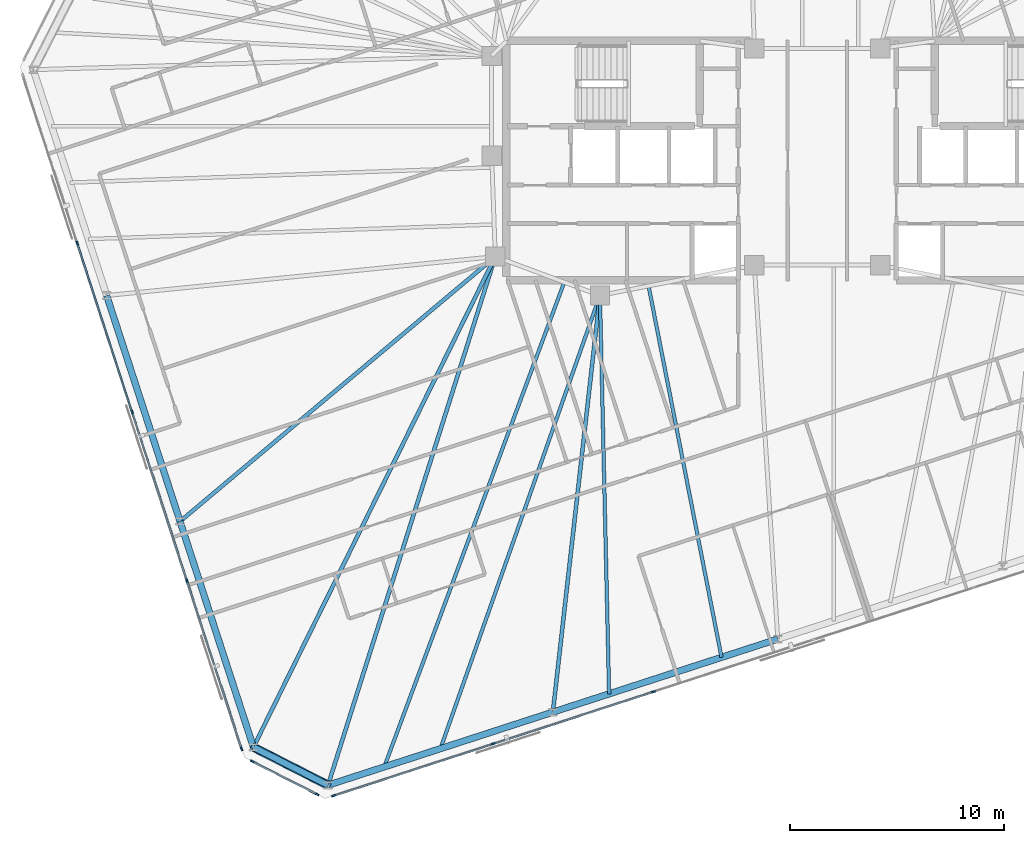
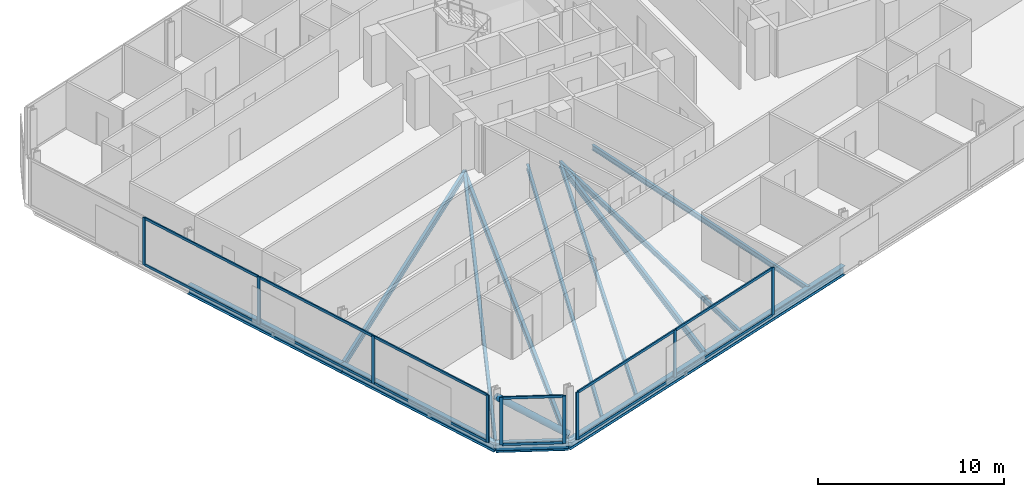
# One storey, part 5 of 20: 22 members, 13 beams, 3 elements without a shape of their own.
"""IFC4 building model written with IfcOpenShell, lengths in metres."""

from ifc_helpers import new_model, si_unit, direction, frame, origin, origin_2d, place, context, subcontext, project, spatial, rectangle, hollow_circle, i_section, extrude, material, material_profile, profile_set, type_object, element, aggregate, save


model = new_model("IFC4")

# Units and contexts
model_context = context("Model", 3, precision=1e-05, world=origin(), true_north=direction((0.0, 1.0)))
body_context = subcontext(model_context, "Body", "Model", "MODEL_VIEW")
ifc_project = project(units=[si_unit("LENGTHUNIT", "METRE"), si_unit("AREAUNIT", "SQUARE_METRE"), si_unit("VOLUMEUNIT", "CUBIC_METRE"), si_unit("PLANEANGLEUNIT", "RADIAN"), si_unit("MASSUNIT", "GRAM", prefix="KILO")], contexts=[model_context])

# Site, building, storey
site_placement = place(None, origin())
site = spatial("IfcSite", under=ifc_project, at=site_placement, CompositionType="ELEMENT")
building_placement = place(site_placement, origin())
building = spatial("IfcBuilding", under=site, at=building_placement, Name="Menara Jurai Vektor", CompositionType="ELEMENT")
storey_placement = place(building_placement, frame((0.0, 0.0, 244.39990234375)))
storey = spatial("IfcBuildingStorey", under=building, at=storey_placement, Name="L65", CompositionType="ELEMENT", Elevation=244.39990234375)

# Curtain wall, members
ifc_material_1 = material(Name="Anodised Pale Aluminium & Low-E Double Glazing", Category="aluminium")
curtain_wall_type = type_object("IfcCurtainWallType", Name="CW-BLK4", PredefinedType="NOTDEFINED", material=ifc_material_1)
curtain_wall_1_placement = place(storey_placement, origin())
curtain_wall_1 = element("IfcCurtainWall", 1, at=curtain_wall_1_placement, inside=storey, type_object=curtain_wall_type, Name="Unitised Curtain Wall L65 F01", PredefinedType="NOTDEFINED")
ifc_material_2 = material(Name="Anodised Pale Aluminium Mullion", Category="aluminium")
ifc_material_profile_1 = material_profile(ifc_material_2, rectangle(XDim=0.080078125, YDim=0.18994140625, at=origin_2d()), Name="ALU MUL 80x190")
ifc_profile_set_1 = profile_set([ifc_material_profile_1], Name="Anodised Pale Aluminium Mullion")
member_type_1 = type_object("IfcMemberType", Name="CW-BLK4-MUL", PredefinedType="MULLION", material=ifc_profile_set_1)
member_1_placement = place(storey_placement, frame((-22.649658203125, -29.743896484375, 0.0), z_axis=(0.0, 0.0, 1.0), x_axis=(-0.309017344167, 0.951056402641, 0.0)))
member_1 = element("IfcMember", 2, at=member_1_placement, type_object=member_type_1, Name="CW-04 mullion 1", PredefinedType="MULLION", context=body_context, shape_type="SweptSolid", body=[
    extrude(rectangle(XDim=0.080078125, YDim=0.18994140625, at=origin_2d()), origin(), (0.0, 0.0, 1.0), 3.125),
])
member_2_placement = place(storey_placement, frame((-15.1826171875, -27.317626953125, 0.0), z_axis=(0.0, 0.0, 1.0), x_axis=(-0.309017344167, 0.951056402641, 0.0)))
member_2 = element("IfcMember", 3, at=member_2_placement, type_object=member_type_1, Name="CW-04 mullion 2", PredefinedType="MULLION", context=body_context, shape_type="SweptSolid", body=[
    extrude(rectangle(XDim=0.080078125, YDim=0.18994140625, at=origin_2d()), origin(), (0.0, 0.0, 1.0), 3.125),
])
member_3_placement = place(storey_placement, frame((-7.677490234375, -24.879150390625, 0.0), z_axis=(0.0, 0.0, 1.0), x_axis=(-0.309017344167, 0.951056402641, 0.0)))
member_3 = element("IfcMember", 4, at=member_3_placement, type_object=member_type_1, Name="CW-04 mullion 3", PredefinedType="MULLION", context=body_context, shape_type="SweptSolid", body=[
    extrude(rectangle(XDim=0.080078125, YDim=0.18994140625, at=origin_2d()), origin(), (0.0, 0.0, 1.0), 3.125),
])

curtain_wall_2_placement = place(storey_placement, origin())
curtain_wall_2 = element("IfcCurtainWall", 5, at=curtain_wall_2_placement, inside=storey, type_object=curtain_wall_type, Name="Unitised Curtain Wall L65 F07", PredefinedType="NOTDEFINED")
member_4_placement = place(storey_placement, frame((-34.650634765625, -3.876220703125, 0.0), z_axis=(0.0, 0.0, 1.0), x_axis=(0.95105668295, 0.309016481464, 0.0)))
member_4 = element("IfcMember", 6, at=member_4_placement, type_object=member_type_1, Name="CW-04 mullion 2", PredefinedType="MULLION", context=body_context, shape_type="SweptSolid", body=[
    extrude(rectangle(XDim=0.080078125, YDim=0.18994140625, at=origin_2d()), origin(), (0.0, 0.0, 1.0), 3.125),
])
member_5_placement = place(storey_placement, frame((-32.082763671875, -11.779541015625, 0.0), z_axis=(0.0, 0.0, 1.0), x_axis=(0.95105668295, 0.309016481464, 0.0)))
member_5 = element("IfcMember", 7, at=member_5_placement, type_object=member_type_1, Name="CW-04 mullion 3", PredefinedType="MULLION", context=body_context, shape_type="SweptSolid", body=[
    extrude(rectangle(XDim=0.080078125, YDim=0.18994140625, at=origin_2d()), origin(), (0.0, 0.0, 1.0), 3.125),
])
member_6_placement = place(storey_placement, frame((-29.514892578125, -19.682861328125, 0.0), z_axis=(0.0, 0.0, 1.0), x_axis=(0.95105668295, 0.309016481464, 0.0)))
member_6 = element("IfcMember", 8, at=member_6_placement, type_object=member_type_1, Name="CW-04 mullion 4", PredefinedType="MULLION", context=body_context, shape_type="SweptSolid", body=[
    extrude(rectangle(XDim=0.080078125, YDim=0.18994140625, at=origin_2d()), origin(), (0.0, 0.0, 1.0), 3.125),
])
member_7_placement = place(storey_placement, frame((-26.959228515625, -27.548095703125, 0.0), z_axis=(0.0, 0.0, 1.0), x_axis=(0.95105668295, 0.309016481464, 0.0)))
member_7 = element("IfcMember", 9, at=member_7_placement, type_object=member_type_1, Name="CW-04 mullion 5", PredefinedType="MULLION", context=body_context, shape_type="SweptSolid", body=[
    extrude(rectangle(XDim=0.080078125, YDim=0.18994140625, at=origin_2d()), origin(), (0.0, 0.0, 1.0), 3.125),
])

curtain_wall_3_placement = place(storey_placement, origin())
curtain_wall_3 = element("IfcCurtainWall", 10, at=curtain_wall_3_placement, inside=storey, type_object=curtain_wall_type, Name="Unitised Curtain Wall L65 F08", PredefinedType="NOTDEFINED")
member_8_placement = place(storey_placement, frame((-26.455322265625, -28.13818359375, 0.0), z_axis=(0.0, 0.0, 1.0), x_axis=(0.453988579828, 0.89100750243, 0.0)))
member_8 = element("IfcMember", 11, at=member_8_placement, type_object=member_type_1, Name="CW-04 mullion 1", PredefinedType="MULLION", context=body_context, shape_type="SweptSolid", body=[
    extrude(rectangle(XDim=0.080078125, YDim=0.18994140625, at=origin_2d()), origin(), (0.0, 0.0, 1.0), 3.125),
])
member_9_placement = place(storey_placement, frame((-23.42333984375, -29.682861328125, 0.0), z_axis=(0.0, 0.0, 1.0), x_axis=(0.453988579828, 0.89100750243, 0.0)))
member_9 = element("IfcMember", 12, at=member_9_placement, type_object=member_type_1, Name="CW-04 mullion 2", PredefinedType="MULLION", context=body_context, shape_type="SweptSolid", body=[
    extrude(rectangle(XDim=0.080078125, YDim=0.18994140625, at=origin_2d()), origin(), (0.0, 0.0, 1.0), 3.125),
])

# Member
ifc_material_3 = material(Name="Anodised Pale Aluminium Transom", Category="aluminium")
ifc_material_profile_2 = material_profile(ifc_material_3, rectangle(XDim=0.080078125, YDim=0.1650390625, at=origin_2d()), Name="ALU TRN 80x165")
ifc_profile_set_2 = profile_set([ifc_material_profile_2], Name="Anodised Pale Aluminium Transom")
member_type_2 = type_object("IfcMemberType", Name="CW-BLK4-TRN", PredefinedType="USERDEFINED", material=ifc_profile_set_2)
member_10_placement = place(storey_placement, frame((-22.61181640625, -29.7314453125, 0.0400390625), z_axis=(0.951062230089, 0.308999408573, 0.0), x_axis=(-0.308999408573, 0.951062230089, 0.0)))
member_10 = element("IfcMember", 13, at=member_10_placement, type_object=member_type_2, Name="CW-04 transom 1.1", ObjectType="TRANSOM", PredefinedType="USERDEFINED", context=body_context, shape_type="SweptSolid", body=[
    extrude(rectangle(XDim=0.080078125, YDim=0.1650390625, at=origin_2d()), origin(), (0.0, 0.0, 1.0), 7.771484375),
])

member_11_placement = place(storey_placement, frame((-22.61181640625, -29.7314453125, 3.085205078125), z_axis=(0.951062230089, 0.308999408573, 0.0), x_axis=(-0.308999408573, 0.951062230089, 0.0)))
member_11 = element("IfcMember", 14, at=member_11_placement, type_object=member_type_2, Name="CW-04 transom 1.2", ObjectType="TRANSOM", PredefinedType="USERDEFINED", context=body_context, shape_type="SweptSolid", body=[
    extrude(rectangle(XDim=0.080078125, YDim=0.1650390625, at=origin_2d()), origin(), (0.0, 0.0, 1.0), 7.771484375),
])

member_12_placement = place(storey_placement, frame((-15.14453125, -27.30517578125, 0.0400390625), z_axis=(0.95105634578, 0.309017519167, 0.0), x_axis=(-0.309017519167, 0.95105634578, 0.0)))
member_12 = element("IfcMember", 15, at=member_12_placement, type_object=member_type_2, Name="CW-04 transom 2.1", ObjectType="TRANSOM", PredefinedType="USERDEFINED", context=body_context, shape_type="SweptSolid", body=[
    extrude(rectangle(XDim=0.080078125, YDim=0.1650390625, at=origin_2d()), origin(), (0.0, 0.0, 1.0), 7.811279296875),
])

member_13_placement = place(storey_placement, frame((-15.14453125, -27.30517578125, 3.085205078125), z_axis=(0.95105634578, 0.309017519167, 0.0), x_axis=(-0.309017519167, 0.95105634578, 0.0)))
member_13 = element("IfcMember", 16, at=member_13_placement, type_object=member_type_2, Name="CW-04 transom 2.2", ObjectType="TRANSOM", PredefinedType="USERDEFINED", context=body_context, shape_type="SweptSolid", body=[
    extrude(rectangle(XDim=0.080078125, YDim=0.1650390625, at=origin_2d()), origin(), (0.0, 0.0, 1.0), 7.811279296875),
])

aggregate(curtain_wall_1, [member_1, member_2, member_3, member_10, member_11, member_12, member_13])

member_14_placement = place(storey_placement, frame((-34.638427734375, -3.914306640625, 0.0400390625), z_axis=(0.309018994408, -0.951055866443, 0.0), x_axis=(0.951055866443, 0.309018994408, 0.0)))
member_14 = element("IfcMember", 17, at=member_14_placement, type_object=member_type_2, Name="CW-04 transom 2.1", ObjectType="TRANSOM", PredefinedType="USERDEFINED", context=body_context, shape_type="SweptSolid", body=[
    extrude(rectangle(XDim=0.080078125, YDim=0.1650390625, at=origin_2d()), origin(), (0.0, 0.0, 1.0), 8.22998046875),
])

member_15_placement = place(storey_placement, frame((-34.638427734375, -3.914306640625, 3.085205078125), z_axis=(0.309018994408, -0.951055866443, 0.0), x_axis=(0.951055866443, 0.309018994408, 0.0)))
member_15 = element("IfcMember", 18, at=member_15_placement, type_object=member_type_2, Name="CW-04 transom 2.2", ObjectType="TRANSOM", PredefinedType="USERDEFINED", context=body_context, shape_type="SweptSolid", body=[
    extrude(rectangle(XDim=0.080078125, YDim=0.1650390625, at=origin_2d()), origin(), (0.0, 0.0, 1.0), 8.22998046875),
])

member_16_placement = place(storey_placement, frame((-32.0703125, -11.817626953125, 0.0400390625), z_axis=(0.309018994408, -0.951055866443, 0.0), x_axis=(0.951055866443, 0.309018994408, 0.0)))
member_16 = element("IfcMember", 19, at=member_16_placement, type_object=member_type_2, Name="CW-04 transom 3.1", ObjectType="TRANSOM", PredefinedType="USERDEFINED", context=body_context, shape_type="SweptSolid", body=[
    extrude(rectangle(XDim=0.080078125, YDim=0.1650390625, at=origin_2d()), origin(), (0.0, 0.0, 1.0), 8.22998046875),
])

member_17_placement = place(storey_placement, frame((-32.0703125, -11.817626953125, 3.085205078125), z_axis=(0.309018994408, -0.951055866443, 0.0), x_axis=(0.951055866443, 0.309018994408, 0.0)))
member_17 = element("IfcMember", 20, at=member_17_placement, type_object=member_type_2, Name="CW-04 transom 3.2", ObjectType="TRANSOM", PredefinedType="USERDEFINED", context=body_context, shape_type="SweptSolid", body=[
    extrude(rectangle(XDim=0.080078125, YDim=0.1650390625, at=origin_2d()), origin(), (0.0, 0.0, 1.0), 8.22998046875),
])

member_18_placement = place(storey_placement, frame((-29.50244140625, -19.720947265625, 0.0400390625), z_axis=(0.309010577384, -0.951058601278, 0.0), x_axis=(0.951058601278, 0.309010577384, 0.0)))
member_18 = element("IfcMember", 21, at=member_18_placement, type_object=member_type_2, Name="CW-04 transom 4.1", ObjectType="TRANSOM", PredefinedType="USERDEFINED", context=body_context, shape_type="SweptSolid", body=[
    extrude(rectangle(XDim=0.080078125, YDim=0.1650390625, at=origin_2d()), origin(), (0.0, 0.0, 1.0), 8.18994140625),
])

member_19_placement = place(storey_placement, frame((-29.50244140625, -19.720947265625, 3.085205078125), z_axis=(0.309010577384, -0.951058601278, 0.0), x_axis=(0.951058601278, 0.309010577384, 0.0)))
member_19 = element("IfcMember", 22, at=member_19_placement, type_object=member_type_2, Name="CW-04 transom 4.2", ObjectType="TRANSOM", PredefinedType="USERDEFINED", context=body_context, shape_type="SweptSolid", body=[
    extrude(rectangle(XDim=0.080078125, YDim=0.1650390625, at=origin_2d()), origin(), (0.0, 0.0, 1.0), 8.18994140625),
])

aggregate(curtain_wall_2, [member_4, member_5, member_6, member_7, member_14, member_15, member_16, member_17, member_18, member_19])

member_20_placement = place(storey_placement, frame((-26.419677734375, -28.15625, 0.0400390625), z_axis=(0.89100697374, -0.453989617444, 0.0), x_axis=(0.453989617444, 0.89100697374, 0.0)))
member_20 = element("IfcMember", 23, at=member_20_placement, type_object=member_type_2, Name="CW-04 transom 1.1", ObjectType="TRANSOM", PredefinedType="USERDEFINED", context=body_context, shape_type="SweptSolid", body=[
    extrude(rectangle(XDim=0.080078125, YDim=0.1650390625, at=origin_2d()), origin(), (0.0, 0.0, 1.0), 3.32275390625),
])

member_21_placement = place(storey_placement, frame((-26.419677734375, -28.15625, 3.085205078125), z_axis=(0.89100697374, -0.453989617444, 0.0), x_axis=(0.453989617444, 0.89100697374, 0.0)))
member_21 = element("IfcMember", 24, at=member_21_placement, type_object=member_type_2, Name="CW-04 transom 1.2", ObjectType="TRANSOM", PredefinedType="USERDEFINED", context=body_context, shape_type="SweptSolid", body=[
    extrude(rectangle(XDim=0.080078125, YDim=0.1650390625, at=origin_2d()), origin(), (0.0, 0.0, 1.0), 3.32275390625),
])

aggregate(curtain_wall_3, [member_8, member_9, member_20, member_21])

# Beams
ifc_material_4 = material(Name="Steel S355", Category="steel")
ifc_material_profile_3 = material_profile(ifc_material_4, i_section(OverallWidth=0.18505859375, OverallDepth=0.429931640625, WebThickness=0.010986328125, FlangeThickness=0.01806640625, at=origin_2d()), Name="PG 430x185x76")
ifc_profile_set_3 = profile_set([ifc_material_profile_3], Name="Steel S355")
beam_type_1 = type_object("IfcBeamType", Name="STR-BM-430", PredefinedType="BEAM", material=ifc_profile_set_3)
beam_1_placement = place(storey_placement, frame((-22.912841796875, -29.2509765625, -0.43994140625), z_axis=(0.301715059084, 0.953398145122, 0.0), x_axis=(-0.953398145122, 0.301715059084, 0.0)))
element("IfcBeam", 25, at=beam_1_placement, inside=storey, type_object=beam_type_1, Name="Radial Floor Girder L65-S1", PredefinedType="BEAM", context=body_context, shape_type="SweptSolid", body=[
    extrude(i_section(OverallWidth=0.18505859375, OverallDepth=0.429931640625, WebThickness=0.010986328125, FlangeThickness=0.01806640625, at=origin_2d()), origin(), (0.0, 0.0, 1.0), 25.960693359375),
])
beam_2_placement = place(storey_placement, frame((-12.383544921875, -25.829833984375, -0.43994140625), z_axis=(0.112235588534, 0.993681625404, 0.0), x_axis=(-0.993681625404, 0.112235588534, 0.0)))
element("IfcBeam", 26, at=beam_2_placement, inside=storey, type_object=beam_type_1, Name="Radial Floor Girder L65-S2", PredefinedType="BEAM", context=body_context, shape_type="SweptSolid", body=[
    extrude(i_section(OverallWidth=0.18505859375, OverallDepth=0.429931640625, WebThickness=0.010986328125, FlangeThickness=0.01806640625, at=origin_2d()), origin(), (0.0, 0.0, 1.0), 19.6337890625),
])
beam_3_placement = place(storey_placement, frame((-29.841796875, -16.896728515625, -0.43994140625), z_axis=(0.765784449649, 0.64309733064, 0.0), x_axis=(-0.64309733064, 0.765784449649, 0.0)))
element("IfcBeam", 27, at=beam_3_placement, inside=storey, type_object=beam_type_1, Name="Radial Floor Girder L65-W3", PredefinedType="BEAM", context=body_context, shape_type="SweptSolid", body=[
    extrude(i_section(OverallWidth=0.18505859375, OverallDepth=0.429931640625, WebThickness=0.010986328125, FlangeThickness=0.01806640625, at=origin_2d()), origin(), (0.0, 0.0, 1.0), 19.276611328125),
])
beam_4_placement = place(storey_placement, frame((-26.406005859375, -27.47119140625, -0.43994140625), z_axis=(0.442219272094, 0.896906971424, 0.0), x_axis=(-0.896906971424, 0.442219272094, 0.0)))
element("IfcBeam", 28, at=beam_4_placement, inside=storey, type_object=beam_type_1, Name="Radial Floor Girder L65-W4", PredefinedType="BEAM", context=body_context, shape_type="SweptSolid", body=[
    extrude(i_section(OverallWidth=0.18505859375, OverallDepth=0.429931640625, WebThickness=0.010986328125, FlangeThickness=0.01806640625, at=origin_2d()), origin(), (0.0, 0.0, 1.0), 25.611572265625),
])

# Member
ifc_material_5 = material(Name="Steel S460", Category="steel")
ifc_material_profile_4 = material_profile(ifc_material_5, hollow_circle(Radius=0.203125, WallThickness=0.01611328125, at=origin_2d()), Name="CHS 406.4x16")
ifc_profile_set_4 = profile_set([ifc_material_profile_4], Name="Steel S460")
member_type_3 = type_object("IfcMemberType", Name="STR-BR-406", PredefinedType="BRACE", material=ifc_profile_set_4)
member_22_placement = place(storey_placement, frame((-22.912841796875, -29.2509765625, 0.150146484375), z_axis=(-0.740375367811, 0.377225079071, 0.556368182465), x_axis=(-0.453976155955, -0.891013832566, 0.0)))
element("IfcMember", 29, at=member_22_placement, inside=storey, type_object=member_type_3, Name="Exoskeleton Corner Brace L65-4", PredefinedType="BRACE", context=body_context, shape_type="SweptSolid", body=[
    extrude(hollow_circle(Radius=0.203125, WallThickness=0.01611328125, at=origin_2d()), origin(), (0.0, 0.0, 1.0), 4.718017578125),
])

# Beams
ifc_material_profile_5 = material_profile(ifc_material_4, i_section(OverallWidth=0.1650390625, OverallDepth=0.330078125, WebThickness=0.009033203125, FlangeThickness=0.013916015625, at=origin_2d()), Name="PG 330x165x46")
ifc_profile_set_5 = profile_set([ifc_material_profile_5], Name="Steel S355")
beam_type_2 = type_object("IfcBeamType", Name="STR-JS-330", PredefinedType="JOIST", material=ifc_profile_set_5)
beam_5_placement = place(storey_placement, frame((-20.280517578125, -28.395751953125, -0.389892578125), z_axis=(0.348182225555, 0.937426870645, 0.0), x_axis=(-0.937426870645, 0.348182225555, 0.0)))
element("IfcBeam", 30, at=beam_5_placement, inside=storey, type_object=beam_type_2, Name="Radial Secondary Floor Joist L65-JS01", PredefinedType="JOIST", context=body_context, shape_type="SweptSolid", body=[
    extrude(i_section(OverallWidth=0.1650390625, OverallDepth=0.330078125, WebThickness=0.009033203125, FlangeThickness=0.013916015625, at=origin_2d()), origin(), (0.0, 0.0, 1.0), 24.211181640625),
])
beam_6_placement = place(storey_placement, frame((-17.648193359375, -27.540283203125, -0.389892578125), z_axis=(0.331980963321, 0.943286085974, 0.0), x_axis=(-0.943286085974, 0.331980963321, 0.0)))
element("IfcBeam", 31, at=beam_6_placement, inside=storey, type_object=beam_type_2, Name="Radial Secondary Floor Joist L65-JS02", PredefinedType="JOIST", context=body_context, shape_type="SweptSolid", body=[
    extrude(i_section(OverallWidth=0.1650390625, OverallDepth=0.330078125, WebThickness=0.009033203125, FlangeThickness=0.013916015625, at=origin_2d()), origin(), (0.0, 0.0, 1.0), 22.49609375),
])
beam_7_placement = place(storey_placement, frame((-9.751220703125, -24.974609375, -0.389892578125), z_axis=(-0.022975519442, 0.999736027913, 0.0), x_axis=(-0.999736027913, -0.022975519442, 0.0)))
element("IfcBeam", 32, at=beam_7_placement, inside=storey, type_object=beam_type_2, Name="Radial Secondary Floor Joist L65-JS03", PredefinedType="JOIST", context=body_context, shape_type="SweptSolid", body=[
    extrude(i_section(OverallWidth=0.1650390625, OverallDepth=0.330078125, WebThickness=0.009033203125, FlangeThickness=0.013916015625, at=origin_2d()), origin(), (0.0, 0.0, 1.0), 18.659423828125),
])
beam_8_placement = place(storey_placement, frame((-4.486572265625, -23.263916015625, -0.389892578125), z_axis=(-0.192724225092, 0.981252960792, 0.0), x_axis=(-0.981252960792, -0.192724225092, 0.0)))
element("IfcBeam", 33, at=beam_8_placement, inside=storey, type_object=beam_type_2, Name="Radial Secondary Floor Joist L65-JS04", PredefinedType="JOIST", context=body_context, shape_type="SweptSolid", body=[
    extrude(i_section(OverallWidth=0.1650390625, OverallDepth=0.330078125, WebThickness=0.009033203125, FlangeThickness=0.013916015625, at=origin_2d()), origin(), (0.0, 0.0, 1.0), 17.7236328125),
])
ifc_material_profile_6 = material_profile(ifc_material_4, i_section(OverallWidth=0.306884765625, OverallDepth=0.6201171875, WebThickness=0.013916015625, FlangeThickness=0.02392578125, FilletRadius=0.01708984375, at=origin_2d()), Name="UKB 610x305x179")
ifc_profile_set_6 = profile_set([ifc_material_profile_6], Name="Steel S355")
beam_type_3 = type_object("IfcBeamType", Name="STR-SP-610", PredefinedType="SPANDREL", material=ifc_profile_set_6)
for number, where, z_axis, x_axis, name in (
    (34, (-22.912841796875, -29.2509765625, -0.534912109375), (0.951057401967, 0.309014268544, 0.0), (-0.309014268544, 0.951057401967, 0.0), "Exoskeleton Spandrel Beam L65-01"),
    (35, (-12.383544921875, -25.829833984375, -0.534912109375), (0.951057401967, 0.309014268544, 0.0), (-0.309014268544, 0.951057401967, 0.0), "Exoskeleton Spandrel Beam L65-02"),
):
    element("IfcBeam", number, at=place(storey_placement, frame(where, z_axis=z_axis, x_axis=x_axis)), inside=storey, type_object=beam_type_3, Name=name, PredefinedType="SPANDREL", context=body_context, shape_type="SweptSolid", body=[
        extrude(i_section(OverallWidth=0.306884765625, OverallDepth=0.6201171875, WebThickness=0.013916015625, FlangeThickness=0.02392578125, FilletRadius=0.01708984375, at=origin_2d()), origin(), (0.0, 0.0, 1.0), 11.071044921875),
    ])
beam_9_placement = place(storey_placement, frame((-33.277587890625, -6.322509765625, -0.534912109375), z_axis=(0.309018545885, -0.951056012178, 0.0), x_axis=(0.951056012178, 0.309018545885, 0.0)))
element("IfcBeam", 36, at=beam_9_placement, inside=storey, type_object=beam_type_3, Name="Exoskeleton Spandrel Beam L65-18", PredefinedType="SPANDREL", context=body_context, shape_type="SweptSolid", body=[
    extrude(i_section(OverallWidth=0.306884765625, OverallDepth=0.6201171875, WebThickness=0.013916015625, FlangeThickness=0.02392578125, FilletRadius=0.01708984375, at=origin_2d()), origin(), (0.0, 0.0, 1.0), 11.118408203125),
])
beam_10_placement = place(storey_placement, frame((-29.841796875, -16.896728515625, -0.534912109375), z_axis=(0.309012092614, -0.95105810896, 0.0), x_axis=(0.95105810896, 0.309012092614, 0.0)))
element("IfcBeam", 37, at=beam_10_placement, inside=storey, type_object=beam_type_3, Name="Exoskeleton Spandrel Beam L65-19", PredefinedType="SPANDREL", context=body_context, shape_type="SweptSolid", body=[
    extrude(i_section(OverallWidth=0.306884765625, OverallDepth=0.6201171875, WebThickness=0.013916015625, FlangeThickness=0.02392578125, FilletRadius=0.01708984375, at=origin_2d()), origin(), (0.0, 0.0, 1.0), 11.11865234375),
])
beam_11_placement = place(storey_placement, frame((-26.406005859375, -27.47119140625, -0.534912109375), z_axis=(0.891013832566, -0.453976155955, 0.0), x_axis=(0.453976155955, 0.891013832566, 0.0)))
element("IfcBeam", 38, at=beam_11_placement, inside=storey, type_object=beam_type_3, Name="Exoskeleton Spandrel Beam L65-20", PredefinedType="SPANDREL", context=body_context, shape_type="SweptSolid", body=[
    extrude(i_section(OverallWidth=0.306884765625, OverallDepth=0.6201171875, WebThickness=0.013916015625, FlangeThickness=0.02392578125, FilletRadius=0.01708984375, at=origin_2d()), origin(), (0.0, 0.0, 1.0), 3.92041015625),
])

save(model, "model.ifc")
